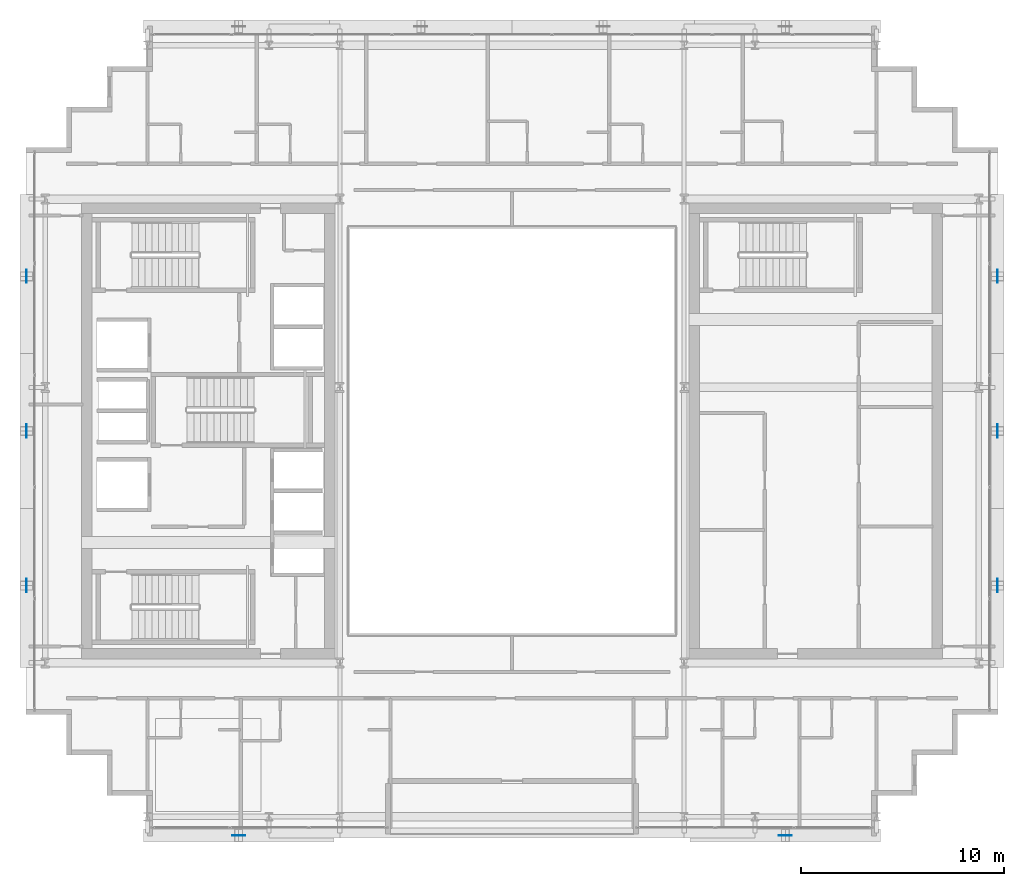
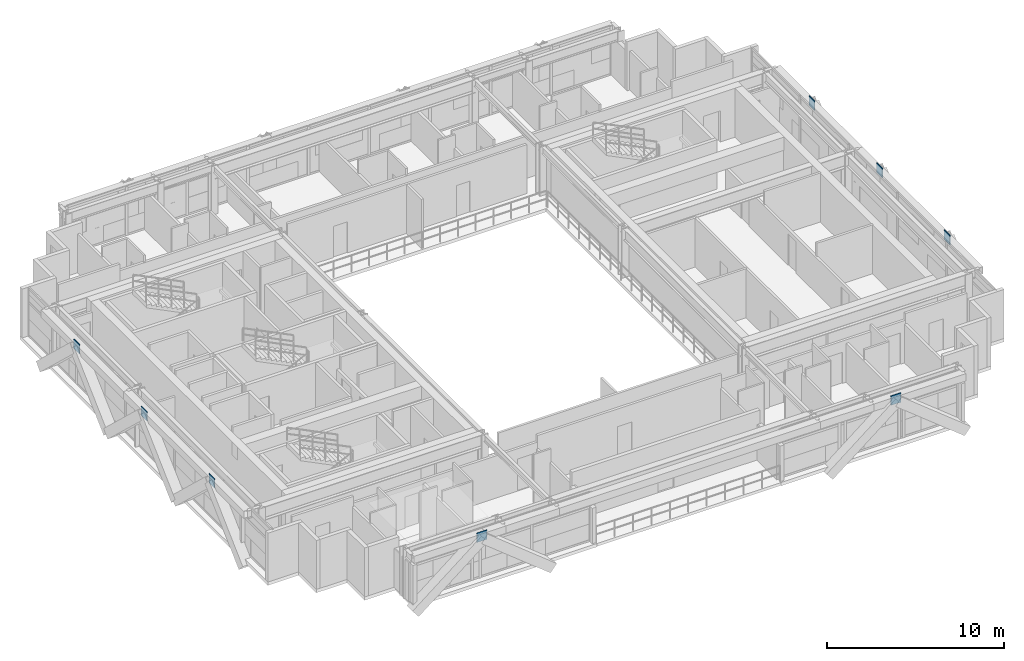
# One storey, part 22 of 31: 8 plates.
"""IFC4 building model written with IfcOpenShell, lengths in metres."""

from ifc_helpers import new_model, si_unit, direction, frame, origin, origin_2d, place, context, subcontext, project, spatial, rectangle, extrude, source, transform, mapped, material, layer, layer_set, type_object, element, save


model = new_model("IFC4")

# Units and contexts
model_context = context("Model", 3, precision=1e-05, world=origin(), true_north=direction((0.0, 1.0)))
body_context = subcontext(model_context, "Body", "Model", "MODEL_VIEW")
ifc_project = project(units=[si_unit("LENGTHUNIT", "METRE"), si_unit("AREAUNIT", "SQUARE_METRE"), si_unit("VOLUMEUNIT", "CUBIC_METRE"), si_unit("PLANEANGLEUNIT", "RADIAN"), si_unit("MASSUNIT", "GRAM", prefix="KILO")], contexts=[model_context])

# Site, building, storey
site_placement = place(None, origin())
site = spatial("IfcSite", under=ifc_project, at=site_placement, CompositionType="ELEMENT")
building_placement = place(site_placement, origin())
building = spatial("IfcBuilding", under=site, at=building_placement, Name="Ocotamira Hotel", CompositionType="ELEMENT")
storey_placement = place(building_placement, frame((0.0, 0.0, 210.0)))
storey = spatial("IfcBuildingStorey", under=building, at=storey_placement, Name="L53", CompositionType="ELEMENT", Elevation=210.0)

# Plates
ifc_material = material(Name="Pale-metal coated steel ASTM A572 Grade 50", Category="steel")
ifc_layer = layer(ifc_material, 0.0400390625)
ifc_layer_set = layer_set([ifc_layer], Name="Pale-metal coated steel ASTM A572 Grade 50")
plate_type = type_object("IfcPlateType", Name="PLT-GUSSET-40", PredefinedType="SHEET", material=ifc_layer_set)
shared_shape_1 = source(origin(), body_context, "Body", "SweptSolid", [
    extrude(rectangle(XDim=0.64990234375, YDim=0.0400390625, at=origin_2d()), origin(), (0.0, 0.0, 1.0), 0.64990234375),
])
for number, where, z_axis, x_axis, name in (
    (1, (18.5, 6.030029296875, 2.795166015625), (0.0, 0.0, 1.0), (1.0, 0.0, 0.0), "L53 Exoskeleton Diagrid S0.1 End Gusset B"),
    (2, (45.5, 6.030029296875, 2.795166015625), (0.0, 0.0, 1.0), (1.0, 0.0, 0.0), "L53 Exoskeleton Diagrid S3.1 End Gusset B"),
):
    element("IfcPlate", number, at=place(storey_placement, frame(where, z_axis=z_axis, x_axis=x_axis)), inside=storey, type_object=plate_type, Name=name, PredefinedType="SHEET", context=body_context, shape_type="MappedRepresentation", body=[
        mapped(shared_shape_1, transform((0.0, 0.0, 0.0), scale=1.0)),
    ])
shared_shape_2 = source(origin(), body_context, "Body", "SweptSolid", [
    extrude(rectangle(XDim=0.0400390625, YDim=0.64990234375, at=origin_2d()), origin(), (0.0, 0.0, 1.0), 0.64990234375),
])
for number, where, z_axis, x_axis, name in (
    (3, (8.030029296875, 18.36669921875, 2.795166015625), (0.0, 0.0, 1.0), (1.0, 0.0, 0.0), "L53 Exoskeleton Diagrid W0.1 End Gusset B"),
    (4, (8.030029296875, 26.0, 2.795166015625), (0.0, 0.0, 1.0), (1.0, 0.0, 0.0), "L53 Exoskeleton Diagrid W1.1 End Gusset B"),
    (5, (8.030029296875, 33.63330078125, 2.795166015625), (0.0, 0.0, 1.0), (1.0, 0.0, 0.0), "L53 Exoskeleton Diagrid W2.1 End Gusset B"),
    (6, (55.969970703125, 18.36669921875, 2.795166015625), (0.0, 0.0, 1.0), (1.0, 0.0, 0.0), "L53 Exoskeleton Diagrid E0.1 End Gusset B"),
    (7, (55.969970703125, 26.0, 2.795166015625), (0.0, 0.0, 1.0), (1.0, 0.0, 0.0), "L53 Exoskeleton Diagrid E1.1 End Gusset B"),
    (8, (55.969970703125, 33.63330078125, 2.795166015625), (0.0, 0.0, 1.0), (1.0, 0.0, 0.0), "L53 Exoskeleton Diagrid E2.1 End Gusset B"),
):
    element("IfcPlate", number, at=place(storey_placement, frame(where, z_axis=z_axis, x_axis=x_axis)), inside=storey, type_object=plate_type, Name=name, PredefinedType="SHEET", context=body_context, shape_type="MappedRepresentation", body=[
        mapped(shared_shape_2, transform((0.0, 0.0, 0.0), scale=1.0)),
    ])

save(model, "model.ifc")
